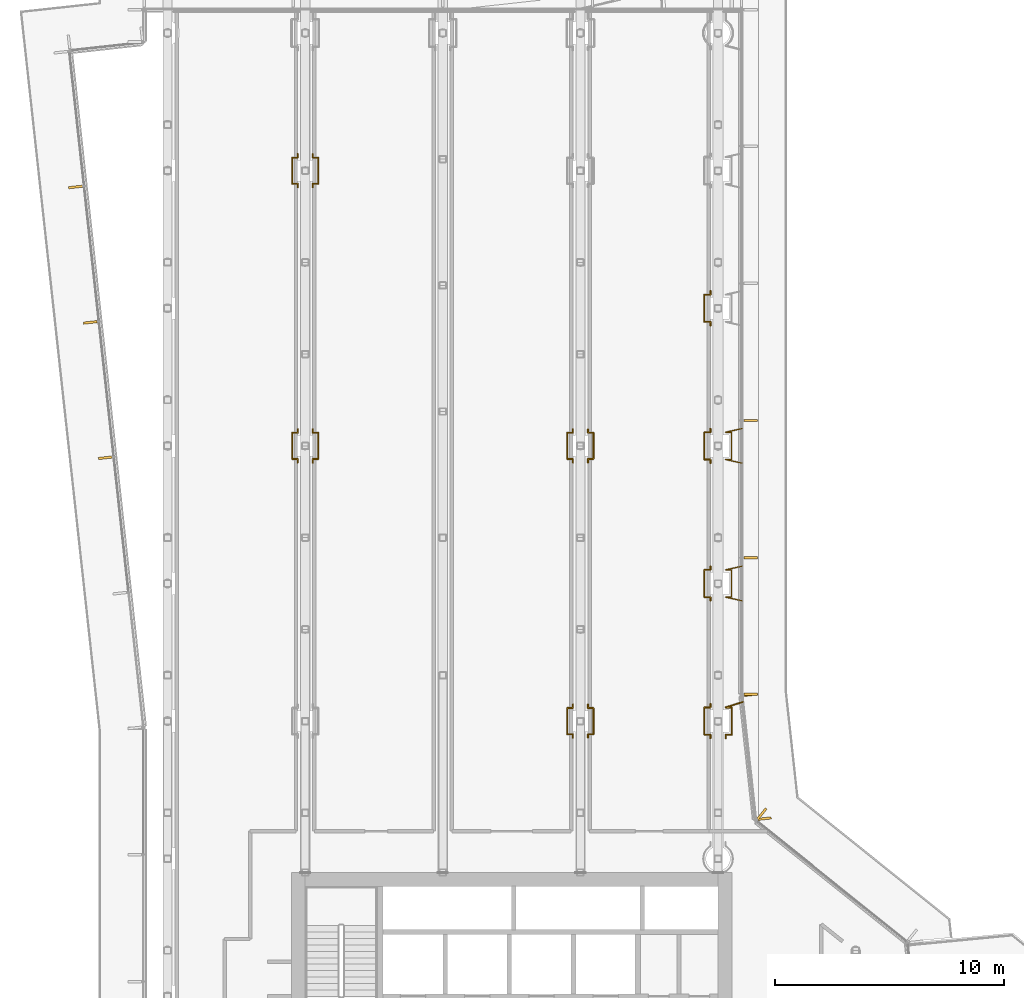
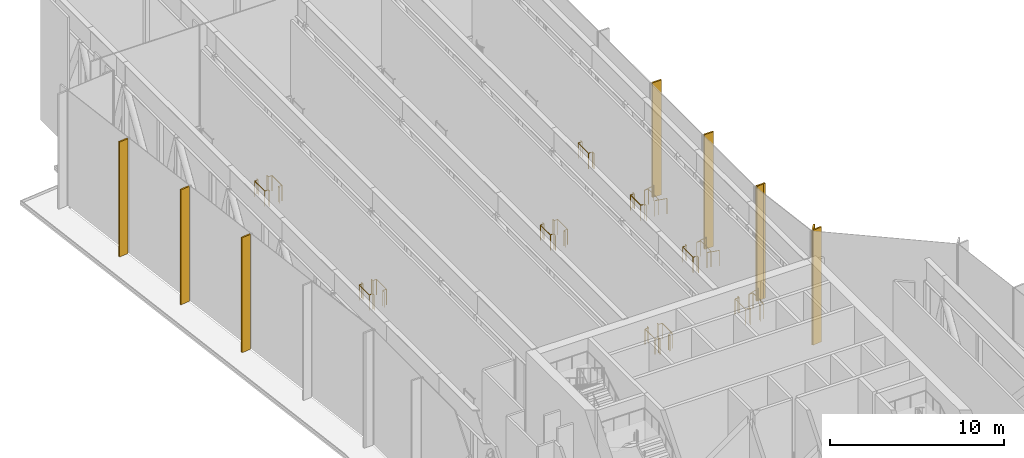
# One storey, part 20 of 22: 15 railings, 9 coverings.
"""IFC4 building model written with IfcOpenShell, lengths in metres."""

import ifcopenshell
import ifcopenshell.guid

model = None  # the IFC model being written
_history = None  # IfcOwnerHistory: only IFC2X3 demands one
_inside = {}  # id of a spatial element -> (the spatial element, [elements in it])
_under = {}  # id of a project, library or spatial element -> (it, [spatial elements below it])
_declared = {}  # id of a project -> (the project, [libraries it declares])
_typed = {}  # id of a type object -> (the type object, [elements of that type])
_made_of = {}  # id of a material, layer set ... -> (it, [elements and type objects made of it])


def new_model(schema):
    """Start an empty IFC model of exactly this schema.

    Asked for "IFC4X3", IfcOpenShell would pick the latest addendum, in which some entities
    have other attributes; the version numbers below select the first issue.
    IFC2X3 requires an IfcOwnerHistory on every rooted entity: one is made here for all.
    """
    global model, _history
    if schema == "IFC4X3":
        model = ifcopenshell.file(schema_version=(4, 3, 0, 0))
    else:
        model = ifcopenshell.file(schema=schema)
    _inside.clear()
    _under.clear()
    _declared.clear()
    _typed.clear()
    _made_of.clear()
    _history = None
    if model.schema == "IFC2X3":
        org = make("IfcOrganization", Name="unknown")
        user = make(
            "IfcPersonAndOrganization",
            ThePerson=make("IfcPerson", FamilyName="unknown"),
            TheOrganization=org,
        )
        app = make(
            "IfcApplication",
            ApplicationDeveloper=org,
            Version="unknown",
            ApplicationFullName="unknown",
            ApplicationIdentifier="unknown",
        )
        _history = make(
            "IfcOwnerHistory",
            OwningUser=user,
            OwningApplication=app,
            ChangeAction="ADDED",
            CreationDate=0,
        )
    return model


def make(cls, **values):
    """One entity of the class cls with the attributes given. An attribute that is None is left unset."""
    return model.create_entity(
        cls, **{name: value for name, value in values.items() if value is not None}
    )


def rooted(cls, **values):
    """An entity with a GlobalId (a new one), such as an element, a storey or a relation."""
    return make(cls, GlobalId=ifcopenshell.guid.new(), OwnerHistory=_history, **values)


def si_unit(unit_type, name, prefix=None):
    """IfcSIUnit, for example si_unit("LENGTHUNIT", "METRE", prefix="MILLI")."""
    return make("IfcSIUnit", UnitType=unit_type, Prefix=prefix, Name=name)


def assignment(units):
    """IfcUnitAssignment: the units of a project."""
    return None if units is None else make("IfcUnitAssignment", Units=units)


def point(xyz):
    """IfcCartesianPoint."""
    return None if xyz is None else make("IfcCartesianPoint", Coordinates=xyz)


def direction(xyz):
    """IfcDirection."""
    return None if xyz is None else make("IfcDirection", DirectionRatios=xyz)


def frame(location, z_axis=None, x_axis=None):
    """IfcAxis2Placement3D, a coordinate frame: its origin and axes. An axis left out is left unset."""
    return make(
        "IfcAxis2Placement3D",
        Location=point(location),
        Axis=direction(z_axis),
        RefDirection=direction(x_axis),
    )


def frame_2d(location, x_axis=None):
    """IfcAxis2Placement2D, a coordinate frame in the plane: its origin and x axis."""
    return make(
        "IfcAxis2Placement2D", Location=point(location), RefDirection=direction(x_axis)
    )


def origin():
    """The frame at (0, 0, 0) with its axes left unset."""
    return frame((0.0, 0.0, 0.0))


def origin_2d():
    """The frame at (0, 0) in the plane with its x axis left unset."""
    return frame_2d((0.0, 0.0))


def place(relative_to, where):
    """IfcLocalPlacement: puts the frame where relative to a parent placement (None: the world)."""
    return make(
        "IfcLocalPlacement", PlacementRelTo=relative_to, RelativePlacement=where
    )


def context(
    kind, dimensions, precision=None, world=None, true_north=None, identifier=None
):
    """IfcGeometricRepresentationContext, for example the 3D "Model" context."""
    return make(
        "IfcGeometricRepresentationContext",
        ContextIdentifier=identifier,
        ContextType=kind,
        CoordinateSpaceDimension=dimensions,
        Precision=precision,
        WorldCoordinateSystem=world,
        TrueNorth=true_north,
    )


def subcontext(parent, identifier, kind, view, scale=None):
    """IfcGeometricRepresentationSubContext, for example "Body" below "Model"."""
    return make(
        "IfcGeometricRepresentationSubContext",
        ContextIdentifier=identifier,
        ContextType=kind,
        ParentContext=parent,
        TargetScale=scale,
        TargetView=view,
    )


def project(units=None, contexts=None):
    """IfcProject with its units and contexts."""
    return rooted(
        "IfcProject",
        Name="project",
        RepresentationContexts=contexts,
        UnitsInContext=assignment(units),
    )


def spatial(cls, under=None, at=None, **own):
    """A site, building, storey or space (cls), placed at a placement, below another one or the project."""
    s = rooted(cls, ObjectPlacement=at, **own)
    if under is not None:
        _under.setdefault(under.id(), (under, []))[1].append(s)
    return s


def profile(cls, at=None, kind="AREA", **sizes):
    """A parametric profile (cls). Its sizes go by their IFC names, for example OverallWidth=200.0."""
    return make(cls, ProfileType=kind, Position=at, **sizes)


def rectangle(**sizes):
    """IfcRectangleProfileDef."""
    return profile("IfcRectangleProfileDef", **sizes)


def circle(**sizes):
    """IfcCircleProfileDef."""
    return profile("IfcCircleProfileDef", **sizes)


def extrude(swept, where, along, depth):
    """IfcExtrudedAreaSolid: the profile swept, set in the frame where, extruded along a direction by depth."""
    return make(
        "IfcExtrudedAreaSolid",
        SweptArea=swept,
        Position=where,
        ExtrudedDirection=direction(along),
        Depth=depth,
    )


def shape(context_of_items, identifier, shape_type, items):
    """IfcShapeRepresentation: the items that make up one representation, for example the "Body"."""
    return make(
        "IfcShapeRepresentation",
        ContextOfItems=context_of_items,
        RepresentationIdentifier=identifier,
        RepresentationType=shape_type,
        Items=items,
    )


def material(Name=None, Category=None):
    """IfcMaterial."""
    return make("IfcMaterial", Name=Name, Category=Category)


def layer(
    of_material, thickness, ventilated=None, Name=None, Category=None, Priority=None
):
    """IfcMaterialLayer: one layer of a wall or slab, of a material (None: an air gap)."""
    return make(
        "IfcMaterialLayer",
        Material=of_material,
        LayerThickness=thickness,
        IsVentilated=ventilated,
        Name=Name,
        Category=Category,
        Priority=Priority,
    )


def layer_set(layers, Name=None):
    """IfcMaterialLayerSet."""
    return make("IfcMaterialLayerSet", MaterialLayers=layers, LayerSetName=Name)


def made_of(thing, what):
    """Note that an element or type object is made of a material, layer set ...; save() writes the relation."""
    if what is not None:
        _made_of.setdefault(what.id(), (what, []))[1].append(thing)
    return thing


def type_object(cls, material=None, **own):
    """A type object (cls), such as IfcWallType, which elements share."""
    return made_of(rooted(cls, **own), material)


def element(
    cls,
    number,
    at=None,
    inside=None,
    cuts=None,
    type_object=None,
    material=None,
    context=None,
    identifier="Body",
    shape_type=None,
    held_by="IfcProductDefinitionShape",
    body=None,
    shapes=None,
    **own,
):
    """One element of the class cls, such as IfcWall. Its Tag is "e" and its number.

    at: its placement. inside: the storey or other place that contains it. cuts: it is an
    opening in that element (IfcRelVoidsElement). A single representation is given by context,
    identifier, shape_type and body (its items); several are given by shapes. held_by: the class
    of the entity that holds the representations. save() writes the other relations.
    """
    e = rooted(cls, Tag="e%d" % number, ObjectPlacement=at, **own)
    if body is not None:
        shapes = [shape(context, identifier, shape_type, body)]
    if shapes is not None:
        e.Representation = make(held_by, Representations=shapes)
    if inside is not None:
        _inside.setdefault(inside.id(), (inside, []))[1].append(e)
    if cuts is not None:
        rooted(
            "IfcRelVoidsElement", RelatingBuildingElement=cuts, RelatedOpeningElement=e
        )
    if type_object is not None:
        _typed.setdefault(type_object.id(), (type_object, []))[1].append(e)
    return made_of(e, material)


def aggregate(whole, parts):
    """IfcRelAggregates: a whole, such as a stair, and the parts it consists of."""
    return rooted("IfcRelAggregates", RelatingObject=whole, RelatedObjects=parts)


def save(model, path):
    """Write the relations noted so far, then the file.

    IfcRelAggregates (storeys below a building ...), IfcRelContainedInSpatialStructure (elements
    in a storey), IfcRelDefinesByType, IfcRelAssociatesMaterial and IfcRelDeclares: one each for
    every whole, place, type object, material and project.
    """
    for whole, parts in _under.values():
        aggregate(whole, parts)
    for where, things in _inside.values():
        rooted(
            "IfcRelContainedInSpatialStructure",
            RelatedElements=things,
            RelatingStructure=where,
        )
    for kind, things in _typed.values():
        rooted("IfcRelDefinesByType", RelatedObjects=things, RelatingType=kind)
    for what, things in _made_of.values():
        rooted("IfcRelAssociatesMaterial", RelatedObjects=things, RelatingMaterial=what)
    for by, libraries in _declared.values():
        rooted("IfcRelDeclares", RelatingContext=by, RelatedDefinitions=libraries)
    model.write(path)


model = new_model("IFC4")

# Units and contexts
model_context = context("Model", 3, precision=1e-05, world=origin(), true_north=direction((0.0, 1.0)))
body_context = subcontext(model_context, "Body", "Model", "MODEL_VIEW")
ifc_project = project(units=[si_unit("LENGTHUNIT", "METRE"), si_unit("AREAUNIT", "SQUARE_METRE"), si_unit("VOLUMEUNIT", "CUBIC_METRE"), si_unit("PLANEANGLEUNIT", "RADIAN"), si_unit("MASSUNIT", "GRAM", prefix="KILO")], contexts=[model_context])

# Site, building, storey
site_placement = place(None, origin())
site = spatial("IfcSite", under=ifc_project, at=site_placement, CompositionType="ELEMENT")
building_placement = place(site_placement, origin())
building = spatial("IfcBuilding", under=site, at=building_placement, Name="Welwitschia Terrace Campus", CompositionType="ELEMENT")
storey_placement = place(building_placement, frame((0.0, 0.0, 197.0)))
storey = spatial("IfcBuildingStorey", under=building, at=storey_placement, Name="L44", CompositionType="ELEMENT", Elevation=197.0)

# Coverings
ifc_material_1 = material(Name="Bronze anodised aluminium", Category="aluminium")
ifc_layer = layer(ifc_material_1, 0.10009765625)
ifc_layer_set = layer_set([ifc_layer], Name="Bronze anodised aluminium")
covering_type = type_object("IfcCoveringType", Name="Bronze fin 100x600", PredefinedType="USERDEFINED", material=ifc_layer_set)
for number, where, z_axis, x_axis, name in (
    (1, (25.909423828125, 27.9541015625, 0.0), (0.0, 0.0, 1.0), (-0.779884483093, 0.625923472184, 0.0), "Fin L44.2.1"),
    (2, (26.022705078125, 27.747802734375, 0.0), (0.0, 0.0, 1.0), (-0.108866874852, 0.994056338222, 0.0), "Fin L44.3.0"),
    (3, (25.430908203125, 33.151123046875, 0.0), (0.0, 0.0, 1.0), (-0.108866874852, 0.994056338222, 0.0), "Fin L44.3.1"),
    (4, (25.429931640625, 33.16943359375, 0.0), (0.0, 0.0, 1.0), (0.0, 1.0, 0.0), "Fin L44.4.0"),
    (5, (25.429931640625, 39.12158203125, 0.0), (0.0, 0.0, 1.0), (0.0, 1.0, 0.0), "Fin L44.4.1"),
    (6, (25.429931640625, 45.103759765625, 0.0), (0.0, 0.0, 1.0), (0.0, 1.0, 0.0), "Fin L44.4.2"),
    (7, (-4.013916015625, 55.28759765625, 0.0), (0.0, 0.0, 1.0), (0.108866874852, -0.994056338222, 0.0), "Fin L44.8.1"),
    (8, (-3.367431640625, 49.384033203125, 0.0), (0.0, 0.0, 1.0), (0.108866874852, -0.994056338222, 0.0), "Fin L44.8.2"),
    (9, (-2.720703125, 43.48046875, 0.0), (0.0, 0.0, 1.0), (0.108866874852, -0.994056338222, 0.0), "Fin L44.8.3"),
):
    element("IfcCovering", number, at=place(storey_placement, frame(where, z_axis=z_axis, x_axis=x_axis)), inside=storey, type_object=covering_type, Name=name, ObjectType="FIN", PredefinedType="USERDEFINED", context=body_context, shape_type="SweptSolid", body=[
        extrude(rectangle(XDim=0.10009765625, YDim=0.60009765625, at=origin_2d()), origin(), (0.0, 0.0, 1.0), 8.050048828125),
    ])

# Railings
ifc_material_2 = material(Name="Stainless steel grade 316", Category="steel")
railing_type = type_object("IfcRailingType", Name="Guard 1100", PredefinedType="GUARDRAIL", material=ifc_material_2)
railing_1_placement = place(storey_placement, frame((23.669921875, 38.7548828125, 0.0)))
element("IfcRailing", 10, at=railing_1_placement, inside=storey, type_object=railing_type, Name="Guard floor edge L44.8", PredefinedType="GUARDRAIL", context=body_context, shape_type="SweptSolid", body=[
    extrude(circle(Radius=0.02392578125, at=origin_2d()), frame((0.0, 0.0, 1.076171875), z_axis=(0.0, -1.0, 0.0), x_axis=(1.0, 0.0, 0.0)), (0.0, 0.0, 1.0), 0.159912109375),
    extrude(circle(Radius=0.02392578125, at=origin_2d()), frame((0.0, -0.159912109375, 1.076171875), z_axis=(-1.0, 0.0, 0.0), x_axis=(0.0, -1.0, 0.0)), (0.0, 0.0, 1.0), 0.264892578125),
    extrude(circle(Radius=0.02392578125, at=origin_2d()), frame((-0.264892578125, -0.159912109375, 1.076171875), z_axis=(0.0, -1.0, 0.0), x_axis=(1.0, 0.0, 0.0)), (0.0, 0.0, 1.0), 1.18994140625),
    extrude(circle(Radius=0.02392578125, at=origin_2d()), frame((-0.264892578125, -1.349853515625, 1.076171875), z_axis=(1.0, 0.0, 0.0), x_axis=(0.0, 1.0, 0.0)), (0.0, 0.0, 1.0), 0.264892578125),
    extrude(circle(Radius=0.02392578125, at=origin_2d()), frame((0.0, -1.349853515625, 1.076171875), z_axis=(0.0, -1.0, 0.0), x_axis=(1.0, 0.0, 0.0)), (0.0, 0.0, 1.0), 0.159912109375),
    extrude(circle(Radius=0.02099609375, at=origin_2d()), origin(), (0.0, 0.0, 1.0), 1.052001953125),
    extrude(circle(Radius=0.02099609375, at=origin_2d()), frame((0.0, -0.159912109375, 0.0)), (0.0, 0.0, 1.0), 1.052001953125),
    extrude(circle(Radius=0.02099609375, at=origin_2d()), frame((-0.264892578125, -0.159912109375, 0.0)), (0.0, 0.0, 1.0), 1.052001953125),
    extrude(circle(Radius=0.02099609375, at=origin_2d()), frame((-0.264892578125, -1.349853515625, 0.0)), (0.0, 0.0, 1.0), 1.052001953125),
    extrude(circle(Radius=0.02099609375, at=origin_2d()), frame((0.0, -1.349853515625, 0.0)), (0.0, 0.0, 1.0), 1.052001953125),
    extrude(circle(Radius=0.02099609375, at=origin_2d()), frame((0.0, -1.509765625, 0.0)), (0.0, 0.0, 1.0), 1.052001953125),
])
railing_2_placement = place(storey_placement, frame((25.050048828125, 37.2451171875, 0.0)))
element("IfcRailing", 11, at=railing_2_placement, inside=storey, type_object=railing_type, Name="Guard floor edge L44.9", PredefinedType="GUARDRAIL", context=body_context, shape_type="SweptSolid", body=[
    extrude(circle(Radius=0.02392578125, at=origin_2d()), frame((0.0, 0.0, 1.076171875), z_axis=(-0.976210421415, 0.216825305536, 0.0), x_axis=(-0.216825305536, -0.976210421415, 0.0)), (0.0, 0.0, 1.0), 0.737548828125),
    extrude(circle(Radius=0.02392578125, at=origin_2d()), frame((-0.719970703125, 0.159912109375, 1.076171875), z_axis=(1.0, 0.0, 0.0), x_axis=(0.0, 1.0, 0.0)), (0.0, 0.0, 1.0), 0.264892578125),
    extrude(circle(Radius=0.02392578125, at=origin_2d()), frame((-0.455078125, 0.159912109375, 1.076171875), z_axis=(0.0, 1.0, 0.0), x_axis=(-1.0, 0.0, 0.0)), (0.0, 0.0, 1.0), 1.18994140625),
    extrude(circle(Radius=0.02392578125, at=origin_2d()), frame((-0.455078125, 1.349853515625, 1.076171875), z_axis=(-1.0, 0.0, 0.0), x_axis=(0.0, -1.0, 0.0)), (0.0, 0.0, 1.0), 0.264892578125),
    extrude(circle(Radius=0.02392578125, at=origin_2d()), frame((-0.719970703125, 1.349853515625, 1.076171875), z_axis=(0.976210421415, 0.216825305536, 0.0), x_axis=(-0.216825305536, 0.976210421415, 0.0)), (0.0, 0.0, 1.0), 0.737548828125),
    extrude(circle(Radius=0.02099609375, at=origin_2d()), origin(), (0.0, 0.0, 1.0), 1.052001953125),
    extrude(circle(Radius=0.02099609375, at=origin_2d()), frame((-0.719970703125, 0.159912109375, 0.0)), (0.0, 0.0, 1.0), 1.052001953125),
    extrude(circle(Radius=0.02099609375, at=origin_2d()), frame((-0.455078125, 0.159912109375, 0.0)), (0.0, 0.0, 1.0), 1.052001953125),
    extrude(circle(Radius=0.02099609375, at=origin_2d()), frame((-0.455078125, 1.349853515625, 0.0)), (0.0, 0.0, 1.0), 1.052001953125),
    extrude(circle(Radius=0.02099609375, at=origin_2d()), frame((-0.719970703125, 1.349853515625, 0.0)), (0.0, 0.0, 1.0), 1.052001953125),
    extrude(circle(Radius=0.02099609375, at=origin_2d()), frame((0.0, 1.509765625, 0.0)), (0.0, 0.0, 1.0), 1.052001953125),
])
railing_3_placement = place(storey_placement, frame((23.669921875, 44.7548828125, 0.0)))
element("IfcRailing", 12, at=railing_3_placement, inside=storey, type_object=railing_type, Name="Guard floor edge L44.10", PredefinedType="GUARDRAIL", context=body_context, shape_type="SweptSolid", body=[
    extrude(circle(Radius=0.02392578125, at=origin_2d()), frame((0.0, 0.0, 1.076171875), z_axis=(0.0, -1.0, 0.0), x_axis=(1.0, 0.0, 0.0)), (0.0, 0.0, 1.0), 0.159912109375),
    extrude(circle(Radius=0.02392578125, at=origin_2d()), frame((0.0, -0.159912109375, 1.076171875), z_axis=(-1.0, 0.0, 0.0), x_axis=(0.0, -1.0, 0.0)), (0.0, 0.0, 1.0), 0.264892578125),
    extrude(circle(Radius=0.02392578125, at=origin_2d()), frame((-0.264892578125, -0.159912109375, 1.076171875), z_axis=(0.0, -1.0, 0.0), x_axis=(1.0, 0.0, 0.0)), (0.0, 0.0, 1.0), 1.18994140625),
    extrude(circle(Radius=0.02392578125, at=origin_2d()), frame((-0.264892578125, -1.349853515625, 1.076171875), z_axis=(1.0, 0.0, 0.0), x_axis=(0.0, 1.0, 0.0)), (0.0, 0.0, 1.0), 0.264892578125),
    extrude(circle(Radius=0.02392578125, at=origin_2d()), frame((0.0, -1.349853515625, 1.076171875), z_axis=(0.0, -1.0, 0.0), x_axis=(1.0, 0.0, 0.0)), (0.0, 0.0, 1.0), 0.159912109375),
    extrude(circle(Radius=0.02099609375, at=origin_2d()), origin(), (0.0, 0.0, 1.0), 1.052001953125),
    extrude(circle(Radius=0.02099609375, at=origin_2d()), frame((0.0, -0.159912109375, 0.0)), (0.0, 0.0, 1.0), 1.052001953125),
    extrude(circle(Radius=0.02099609375, at=origin_2d()), frame((-0.264892578125, -0.159912109375, 0.0)), (0.0, 0.0, 1.0), 1.052001953125),
    extrude(circle(Radius=0.02099609375, at=origin_2d()), frame((-0.264892578125, -1.349853515625, 0.0)), (0.0, 0.0, 1.0), 1.052001953125),
    extrude(circle(Radius=0.02099609375, at=origin_2d()), frame((0.0, -1.349853515625, 0.0)), (0.0, 0.0, 1.0), 1.052001953125),
    extrude(circle(Radius=0.02099609375, at=origin_2d()), frame((0.0, -1.509765625, 0.0)), (0.0, 0.0, 1.0), 1.052001953125),
])
railing_4_placement = place(storey_placement, frame((25.050048828125, 43.2451171875, 0.0)))
element("IfcRailing", 13, at=railing_4_placement, inside=storey, type_object=railing_type, Name="Guard floor edge L44.11", PredefinedType="GUARDRAIL", context=body_context, shape_type="SweptSolid", body=[
    extrude(circle(Radius=0.02392578125, at=origin_2d()), frame((0.0, 0.0, 1.076171875), z_axis=(-0.976210421415, 0.216825305536, 0.0), x_axis=(-0.216825305536, -0.976210421415, 0.0)), (0.0, 0.0, 1.0), 0.737548828125),
    extrude(circle(Radius=0.02392578125, at=origin_2d()), frame((-0.719970703125, 0.159912109375, 1.076171875), z_axis=(1.0, 0.0, 0.0), x_axis=(0.0, 1.0, 0.0)), (0.0, 0.0, 1.0), 0.264892578125),
    extrude(circle(Radius=0.02392578125, at=origin_2d()), frame((-0.455078125, 0.159912109375, 1.076171875), z_axis=(0.0, 1.0, 0.0), x_axis=(-1.0, 0.0, 0.0)), (0.0, 0.0, 1.0), 1.18994140625),
    extrude(circle(Radius=0.02392578125, at=origin_2d()), frame((-0.455078125, 1.349853515625, 1.076171875), z_axis=(-1.0, 0.0, 0.0), x_axis=(0.0, -1.0, 0.0)), (0.0, 0.0, 1.0), 0.264892578125),
    extrude(circle(Radius=0.02392578125, at=origin_2d()), frame((-0.719970703125, 1.349853515625, 1.076171875), z_axis=(0.976210421415, 0.216825305536, 0.0), x_axis=(-0.216825305536, 0.976210421415, 0.0)), (0.0, 0.0, 1.0), 0.737548828125),
    extrude(circle(Radius=0.02099609375, at=origin_2d()), origin(), (0.0, 0.0, 1.0), 1.052001953125),
    extrude(circle(Radius=0.02099609375, at=origin_2d()), frame((-0.719970703125, 0.159912109375, 0.0)), (0.0, 0.0, 1.0), 1.052001953125),
    extrude(circle(Radius=0.02099609375, at=origin_2d()), frame((-0.455078125, 0.159912109375, 0.0)), (0.0, 0.0, 1.0), 1.052001953125),
    extrude(circle(Radius=0.02099609375, at=origin_2d()), frame((-0.455078125, 1.349853515625, 0.0)), (0.0, 0.0, 1.0), 1.052001953125),
    extrude(circle(Radius=0.02099609375, at=origin_2d()), frame((-0.719970703125, 1.349853515625, 0.0)), (0.0, 0.0, 1.0), 1.052001953125),
    extrude(circle(Radius=0.02099609375, at=origin_2d()), frame((0.0, 1.509765625, 0.0)), (0.0, 0.0, 1.0), 1.052001953125),
])
for number, where, name in (
    (14, (23.669921875, 50.7548828125, 0.0), "Guard floor edge L44.12"),
    (15, (23.669921875, 32.7548828125, 0.0), "Guard floor edge L44.16"),
):
    element("IfcRailing", number, at=place(storey_placement, frame(where)), inside=storey, type_object=railing_type, Name=name, PredefinedType="GUARDRAIL", context=body_context, shape_type="SweptSolid", body=[
        extrude(circle(Radius=0.02392578125, at=origin_2d()), frame((0.0, 0.0, 1.076171875), z_axis=(0.0, -1.0, 0.0), x_axis=(1.0, 0.0, 0.0)), (0.0, 0.0, 1.0), 0.159912109375),
        extrude(circle(Radius=0.02392578125, at=origin_2d()), frame((0.0, -0.159912109375, 1.076171875), z_axis=(-1.0, 0.0, 0.0), x_axis=(0.0, -1.0, 0.0)), (0.0, 0.0, 1.0), 0.264892578125),
        extrude(circle(Radius=0.02392578125, at=origin_2d()), frame((-0.264892578125, -0.159912109375, 1.076171875), z_axis=(0.0, -1.0, 0.0), x_axis=(1.0, 0.0, 0.0)), (0.0, 0.0, 1.0), 1.18994140625),
        extrude(circle(Radius=0.02392578125, at=origin_2d()), frame((-0.264892578125, -1.349853515625, 1.076171875), z_axis=(1.0, 0.0, 0.0), x_axis=(0.0, 1.0, 0.0)), (0.0, 0.0, 1.0), 0.264892578125),
        extrude(circle(Radius=0.02392578125, at=origin_2d()), frame((0.0, -1.349853515625, 1.076171875), z_axis=(0.0, -1.0, 0.0), x_axis=(1.0, 0.0, 0.0)), (0.0, 0.0, 1.0), 0.159912109375),
        extrude(circle(Radius=0.02099609375, at=origin_2d()), origin(), (0.0, 0.0, 1.0), 1.052001953125),
        extrude(circle(Radius=0.02099609375, at=origin_2d()), frame((0.0, -0.159912109375, 0.0)), (0.0, 0.0, 1.0), 1.052001953125),
        extrude(circle(Radius=0.02099609375, at=origin_2d()), frame((-0.264892578125, -0.159912109375, 0.0)), (0.0, 0.0, 1.0), 1.052001953125),
        extrude(circle(Radius=0.02099609375, at=origin_2d()), frame((-0.264892578125, -1.349853515625, 0.0)), (0.0, 0.0, 1.0), 1.052001953125),
        extrude(circle(Radius=0.02099609375, at=origin_2d()), frame((0.0, -1.349853515625, 0.0)), (0.0, 0.0, 1.0), 1.052001953125),
        extrude(circle(Radius=0.02099609375, at=origin_2d()), frame((0.0, -1.509765625, 0.0)), (0.0, 0.0, 1.0), 1.052001953125),
    ])
railing_5_placement = place(storey_placement, frame((24.330078125, 31.2451171875, 0.0)))
element("IfcRailing", 16, at=railing_5_placement, inside=storey, type_object=railing_type, Name="Guard floor edge L44.17", PredefinedType="GUARDRAIL", context=body_context, shape_type="SweptSolid", body=[
    extrude(circle(Radius=0.02392578125, at=origin_2d()), frame((0.0, 0.0, 1.076171875), z_axis=(0.0, 1.0, 0.0), x_axis=(-1.0, 0.0, 0.0)), (0.0, 0.0, 1.0), 0.159912109375),
    extrude(circle(Radius=0.02392578125, at=origin_2d()), frame((0.0, 0.159912109375, 1.076171875), z_axis=(1.0, 0.0, 0.0), x_axis=(0.0, 1.0, 0.0)), (0.0, 0.0, 1.0), 0.264892578125),
    extrude(circle(Radius=0.02392578125, at=origin_2d()), frame((0.264892578125, 0.159912109375, 1.076171875), z_axis=(0.0, 1.0, 0.0), x_axis=(-1.0, 0.0, 0.0)), (0.0, 0.0, 1.0), 1.18994140625),
    extrude(circle(Radius=0.02392578125, at=origin_2d()), frame((0.264892578125, 1.349853515625, 1.076171875), z_axis=(-1.0, 0.0, 0.0), x_axis=(0.0, -1.0, 0.0)), (0.0, 0.0, 1.0), 0.264892578125),
    extrude(circle(Radius=0.02392578125, at=origin_2d()), frame((0.0, 1.349853515625, 1.076171875), z_axis=(0.951874294283, 0.306488707595, 0.0), x_axis=(-0.306488707595, 0.951874294283, 0.0)), (0.0, 0.0, 1.0), 0.791015625),
    extrude(circle(Radius=0.02099609375, at=origin_2d()), origin(), (0.0, 0.0, 1.0), 1.052001953125),
    extrude(circle(Radius=0.02099609375, at=origin_2d()), frame((0.0, 0.159912109375, 0.0)), (0.0, 0.0, 1.0), 1.052001953125),
    extrude(circle(Radius=0.02099609375, at=origin_2d()), frame((0.264892578125, 0.159912109375, 0.0)), (0.0, 0.0, 1.0), 1.052001953125),
    extrude(circle(Radius=0.02099609375, at=origin_2d()), frame((0.264892578125, 1.349853515625, 0.0)), (0.0, 0.0, 1.0), 1.052001953125),
    extrude(circle(Radius=0.02099609375, at=origin_2d()), frame((0.0, 1.349853515625, 0.0)), (0.0, 0.0, 1.0), 1.052001953125),
    extrude(circle(Radius=0.02099609375, at=origin_2d()), frame((0.7529296875, 1.59228515625, 0.0)), (0.0, 0.0, 1.0), 1.052001953125),
])
railing_6_placement = place(storey_placement, frame((17.669921875, 44.72998046875, 0.0)))
element("IfcRailing", 17, at=railing_6_placement, inside=storey, type_object=railing_type, Name="Guard floor edge L44.22", PredefinedType="GUARDRAIL", context=body_context, shape_type="SweptSolid", body=[
    extrude(circle(Radius=0.02392578125, at=origin_2d()), frame((0.0, 0.0, 1.076171875), z_axis=(0.0, -1.0, 0.0), x_axis=(1.0, 0.0, 0.0)), (0.0, 0.0, 1.0), 0.159912109375),
    extrude(circle(Radius=0.02392578125, at=origin_2d()), frame((0.0, -0.159912109375, 1.076171875), z_axis=(-1.0, 0.0, 0.0), x_axis=(0.0, -1.0, 0.0)), (0.0, 0.0, 1.0), 0.239990234375),
    extrude(circle(Radius=0.02392578125, at=origin_2d()), frame((-0.239990234375, -0.159912109375, 1.076171875), z_axis=(0.0, -1.0, 0.0), x_axis=(1.0, 0.0, 0.0)), (0.0, 0.0, 1.0), 1.14013671875),
    extrude(circle(Radius=0.02392578125, at=origin_2d()), frame((-0.239990234375, -1.300048828125, 1.076171875), z_axis=(1.0, 0.0, 0.0), x_axis=(0.0, 1.0, 0.0)), (0.0, 0.0, 1.0), 0.239990234375),
    extrude(circle(Radius=0.02392578125, at=origin_2d()), frame((0.0, -1.300048828125, 1.076171875), z_axis=(0.0, -1.0, 0.0), x_axis=(1.0, 0.0, 0.0)), (0.0, 0.0, 1.0), 0.159912109375),
    extrude(circle(Radius=0.02099609375, at=origin_2d()), origin(), (0.0, 0.0, 1.0), 1.052001953125),
    extrude(circle(Radius=0.02099609375, at=origin_2d()), frame((0.0, -0.159912109375, 0.0)), (0.0, 0.0, 1.0), 1.052001953125),
    extrude(circle(Radius=0.02099609375, at=origin_2d()), frame((-0.239990234375, -0.159912109375, 0.0)), (0.0, 0.0, 1.0), 1.052001953125),
    extrude(circle(Radius=0.02099609375, at=origin_2d()), frame((-0.239990234375, -1.300048828125, 0.0)), (0.0, 0.0, 1.0), 1.052001953125),
    extrude(circle(Radius=0.02099609375, at=origin_2d()), frame((0.0, -1.300048828125, 0.0)), (0.0, 0.0, 1.0), 1.052001953125),
    extrude(circle(Radius=0.02099609375, at=origin_2d()), frame((0.0, -1.4599609375, 0.0)), (0.0, 0.0, 1.0), 1.052001953125),
])
railing_7_placement = place(storey_placement, frame((18.330078125, 43.27001953125, 0.0)))
element("IfcRailing", 18, at=railing_7_placement, inside=storey, type_object=railing_type, Name="Guard floor edge L44.23", PredefinedType="GUARDRAIL", context=body_context, shape_type="SweptSolid", body=[
    extrude(circle(Radius=0.02392578125, at=origin_2d()), frame((0.0, 0.0, 1.076171875), z_axis=(0.0, 1.0, 0.0), x_axis=(-1.0, 0.0, 0.0)), (0.0, 0.0, 1.0), 0.159912109375),
    extrude(circle(Radius=0.02392578125, at=origin_2d()), frame((0.0, 0.159912109375, 1.076171875), z_axis=(1.0, 0.0, 0.0), x_axis=(0.0, 1.0, 0.0)), (0.0, 0.0, 1.0), 0.239990234375),
    extrude(circle(Radius=0.02392578125, at=origin_2d()), frame((0.239990234375, 0.159912109375, 1.076171875), z_axis=(0.0, 1.0, 0.0), x_axis=(-1.0, 0.0, 0.0)), (0.0, 0.0, 1.0), 1.14013671875),
    extrude(circle(Radius=0.02392578125, at=origin_2d()), frame((0.239990234375, 1.300048828125, 1.076171875), z_axis=(-1.0, 0.0, 0.0), x_axis=(0.0, -1.0, 0.0)), (0.0, 0.0, 1.0), 0.239990234375),
    extrude(circle(Radius=0.02392578125, at=origin_2d()), frame((0.0, 1.300048828125, 1.076171875), z_axis=(0.0, 1.0, 0.0), x_axis=(-1.0, 0.0, 0.0)), (0.0, 0.0, 1.0), 0.159912109375),
    extrude(circle(Radius=0.02099609375, at=origin_2d()), origin(), (0.0, 0.0, 1.0), 1.052001953125),
    extrude(circle(Radius=0.02099609375, at=origin_2d()), frame((0.0, 0.159912109375, 0.0)), (0.0, 0.0, 1.0), 1.052001953125),
    extrude(circle(Radius=0.02099609375, at=origin_2d()), frame((0.239990234375, 0.159912109375, 0.0)), (0.0, 0.0, 1.0), 1.052001953125),
    extrude(circle(Radius=0.02099609375, at=origin_2d()), frame((0.239990234375, 1.300048828125, 0.0)), (0.0, 0.0, 1.0), 1.052001953125),
    extrude(circle(Radius=0.02099609375, at=origin_2d()), frame((0.0, 1.300048828125, 0.0)), (0.0, 0.0, 1.0), 1.052001953125),
    extrude(circle(Radius=0.02099609375, at=origin_2d()), frame((0.0, 1.4599609375, 0.0)), (0.0, 0.0, 1.0), 1.052001953125),
])
railing_8_placement = place(storey_placement, frame((17.669921875, 32.72998046875, 0.0)))
element("IfcRailing", 19, at=railing_8_placement, inside=storey, type_object=railing_type, Name="Guard floor edge L44.26", PredefinedType="GUARDRAIL", context=body_context, shape_type="SweptSolid", body=[
    extrude(circle(Radius=0.02392578125, at=origin_2d()), frame((0.0, 0.0, 1.076171875), z_axis=(0.0, -1.0, 0.0), x_axis=(1.0, 0.0, 0.0)), (0.0, 0.0, 1.0), 0.159912109375),
    extrude(circle(Radius=0.02392578125, at=origin_2d()), frame((0.0, -0.159912109375, 1.076171875), z_axis=(-1.0, 0.0, 0.0), x_axis=(0.0, -1.0, 0.0)), (0.0, 0.0, 1.0), 0.239990234375),
    extrude(circle(Radius=0.02392578125, at=origin_2d()), frame((-0.239990234375, -0.159912109375, 1.076171875), z_axis=(0.0, -1.0, 0.0), x_axis=(1.0, 0.0, 0.0)), (0.0, 0.0, 1.0), 1.14013671875),
    extrude(circle(Radius=0.02392578125, at=origin_2d()), frame((-0.239990234375, -1.300048828125, 1.076171875), z_axis=(1.0, 0.0, 0.0), x_axis=(0.0, 1.0, 0.0)), (0.0, 0.0, 1.0), 0.239990234375),
    extrude(circle(Radius=0.02392578125, at=origin_2d()), frame((0.0, -1.300048828125, 1.076171875), z_axis=(0.0, -1.0, 0.0), x_axis=(1.0, 0.0, 0.0)), (0.0, 0.0, 1.0), 0.159912109375),
    extrude(circle(Radius=0.02099609375, at=origin_2d()), origin(), (0.0, 0.0, 1.0), 1.052001953125),
    extrude(circle(Radius=0.02099609375, at=origin_2d()), frame((0.0, -0.159912109375, 0.0)), (0.0, 0.0, 1.0), 1.052001953125),
    extrude(circle(Radius=0.02099609375, at=origin_2d()), frame((-0.239990234375, -0.159912109375, 0.0)), (0.0, 0.0, 1.0), 1.052001953125),
    extrude(circle(Radius=0.02099609375, at=origin_2d()), frame((-0.239990234375, -1.300048828125, 0.0)), (0.0, 0.0, 1.0), 1.052001953125),
    extrude(circle(Radius=0.02099609375, at=origin_2d()), frame((0.0, -1.300048828125, 0.0)), (0.0, 0.0, 1.0), 1.052001953125),
    extrude(circle(Radius=0.02099609375, at=origin_2d()), frame((0.0, -1.4599609375, 0.0)), (0.0, 0.0, 1.0), 1.052001953125),
])
railing_9_placement = place(storey_placement, frame((18.330078125, 31.27001953125, 0.0)))
element("IfcRailing", 20, at=railing_9_placement, inside=storey, type_object=railing_type, Name="Guard floor edge L44.27", PredefinedType="GUARDRAIL", context=body_context, shape_type="SweptSolid", body=[
    extrude(circle(Radius=0.02392578125, at=origin_2d()), frame((0.0, 0.0, 1.076171875), z_axis=(0.0, 1.0, 0.0), x_axis=(-1.0, 0.0, 0.0)), (0.0, 0.0, 1.0), 0.159912109375),
    extrude(circle(Radius=0.02392578125, at=origin_2d()), frame((0.0, 0.159912109375, 1.076171875), z_axis=(1.0, 0.0, 0.0), x_axis=(0.0, 1.0, 0.0)), (0.0, 0.0, 1.0), 0.239990234375),
    extrude(circle(Radius=0.02392578125, at=origin_2d()), frame((0.239990234375, 0.159912109375, 1.076171875), z_axis=(0.0, 1.0, 0.0), x_axis=(-1.0, 0.0, 0.0)), (0.0, 0.0, 1.0), 1.14013671875),
    extrude(circle(Radius=0.02392578125, at=origin_2d()), frame((0.239990234375, 1.300048828125, 1.076171875), z_axis=(-1.0, 0.0, 0.0), x_axis=(0.0, -1.0, 0.0)), (0.0, 0.0, 1.0), 0.239990234375),
    extrude(circle(Radius=0.02392578125, at=origin_2d()), frame((0.0, 1.300048828125, 1.076171875), z_axis=(0.0, 1.0, 0.0), x_axis=(-1.0, 0.0, 0.0)), (0.0, 0.0, 1.0), 0.159912109375),
    extrude(circle(Radius=0.02099609375, at=origin_2d()), origin(), (0.0, 0.0, 1.0), 1.052001953125),
    extrude(circle(Radius=0.02099609375, at=origin_2d()), frame((0.0, 0.159912109375, 0.0)), (0.0, 0.0, 1.0), 1.052001953125),
    extrude(circle(Radius=0.02099609375, at=origin_2d()), frame((0.239990234375, 0.159912109375, 0.0)), (0.0, 0.0, 1.0), 1.052001953125),
    extrude(circle(Radius=0.02099609375, at=origin_2d()), frame((0.239990234375, 1.300048828125, 0.0)), (0.0, 0.0, 1.0), 1.052001953125),
    extrude(circle(Radius=0.02099609375, at=origin_2d()), frame((0.0, 1.300048828125, 0.0)), (0.0, 0.0, 1.0), 1.052001953125),
    extrude(circle(Radius=0.02099609375, at=origin_2d()), frame((0.0, 1.4599609375, 0.0)), (0.0, 0.0, 1.0), 1.052001953125),
])
railing_10_placement = place(storey_placement, frame((5.669921875, 44.72998046875, 0.0)))
element("IfcRailing", 21, at=railing_10_placement, inside=storey, type_object=railing_type, Name="Guard floor edge L44.34", PredefinedType="GUARDRAIL", context=body_context, shape_type="SweptSolid", body=[
    extrude(circle(Radius=0.02392578125, at=origin_2d()), frame((0.0, 0.0, 1.076171875), z_axis=(0.0, -1.0, 0.0), x_axis=(1.0, 0.0, 0.0)), (0.0, 0.0, 1.0), 0.159912109375),
    extrude(circle(Radius=0.02392578125, at=origin_2d()), frame((0.0, -0.159912109375, 1.076171875), z_axis=(-1.0, 0.0, 0.0), x_axis=(0.0, -1.0, 0.0)), (0.0, 0.0, 1.0), 0.239990234375),
    extrude(circle(Radius=0.02392578125, at=origin_2d()), frame((-0.239990234375, -0.159912109375, 1.076171875), z_axis=(0.0, -1.0, 0.0), x_axis=(1.0, 0.0, 0.0)), (0.0, 0.0, 1.0), 1.14013671875),
    extrude(circle(Radius=0.02392578125, at=origin_2d()), frame((-0.239990234375, -1.300048828125, 1.076171875), z_axis=(1.0, 0.0, 0.0), x_axis=(0.0, 1.0, 0.0)), (0.0, 0.0, 1.0), 0.239990234375),
    extrude(circle(Radius=0.02392578125, at=origin_2d()), frame((0.0, -1.300048828125, 1.076171875), z_axis=(0.0, -1.0, 0.0), x_axis=(1.0, 0.0, 0.0)), (0.0, 0.0, 1.0), 0.159912109375),
    extrude(circle(Radius=0.02099609375, at=origin_2d()), origin(), (0.0, 0.0, 1.0), 1.052001953125),
    extrude(circle(Radius=0.02099609375, at=origin_2d()), frame((0.0, -0.159912109375, 0.0)), (0.0, 0.0, 1.0), 1.052001953125),
    extrude(circle(Radius=0.02099609375, at=origin_2d()), frame((-0.239990234375, -0.159912109375, 0.0)), (0.0, 0.0, 1.0), 1.052001953125),
    extrude(circle(Radius=0.02099609375, at=origin_2d()), frame((-0.239990234375, -1.300048828125, 0.0)), (0.0, 0.0, 1.0), 1.052001953125),
    extrude(circle(Radius=0.02099609375, at=origin_2d()), frame((0.0, -1.300048828125, 0.0)), (0.0, 0.0, 1.0), 1.052001953125),
    extrude(circle(Radius=0.02099609375, at=origin_2d()), frame((0.0, -1.4599609375, 0.0)), (0.0, 0.0, 1.0), 1.052001953125),
])
railing_11_placement = place(storey_placement, frame((6.330078125, 43.27001953125, 0.0)))
element("IfcRailing", 22, at=railing_11_placement, inside=storey, type_object=railing_type, Name="Guard floor edge L44.35", PredefinedType="GUARDRAIL", context=body_context, shape_type="SweptSolid", body=[
    extrude(circle(Radius=0.02392578125, at=origin_2d()), frame((0.0, 0.0, 1.076171875), z_axis=(0.0, 1.0, 0.0), x_axis=(-1.0, 0.0, 0.0)), (0.0, 0.0, 1.0), 0.159912109375),
    extrude(circle(Radius=0.02392578125, at=origin_2d()), frame((0.0, 0.159912109375, 1.076171875), z_axis=(1.0, 0.0, 0.0), x_axis=(0.0, 1.0, 0.0)), (0.0, 0.0, 1.0), 0.239990234375),
    extrude(circle(Radius=0.02392578125, at=origin_2d()), frame((0.239990234375, 0.159912109375, 1.076171875), z_axis=(0.0, 1.0, 0.0), x_axis=(-1.0, 0.0, 0.0)), (0.0, 0.0, 1.0), 1.14013671875),
    extrude(circle(Radius=0.02392578125, at=origin_2d()), frame((0.239990234375, 1.300048828125, 1.076171875), z_axis=(-1.0, 0.0, 0.0), x_axis=(0.0, -1.0, 0.0)), (0.0, 0.0, 1.0), 0.239990234375),
    extrude(circle(Radius=0.02392578125, at=origin_2d()), frame((0.0, 1.300048828125, 1.076171875), z_axis=(0.0, 1.0, 0.0), x_axis=(-1.0, 0.0, 0.0)), (0.0, 0.0, 1.0), 0.159912109375),
    extrude(circle(Radius=0.02099609375, at=origin_2d()), origin(), (0.0, 0.0, 1.0), 1.052001953125),
    extrude(circle(Radius=0.02099609375, at=origin_2d()), frame((0.0, 0.159912109375, 0.0)), (0.0, 0.0, 1.0), 1.052001953125),
    extrude(circle(Radius=0.02099609375, at=origin_2d()), frame((0.239990234375, 0.159912109375, 0.0)), (0.0, 0.0, 1.0), 1.052001953125),
    extrude(circle(Radius=0.02099609375, at=origin_2d()), frame((0.239990234375, 1.300048828125, 0.0)), (0.0, 0.0, 1.0), 1.052001953125),
    extrude(circle(Radius=0.02099609375, at=origin_2d()), frame((0.0, 1.300048828125, 0.0)), (0.0, 0.0, 1.0), 1.052001953125),
    extrude(circle(Radius=0.02099609375, at=origin_2d()), frame((0.0, 1.4599609375, 0.0)), (0.0, 0.0, 1.0), 1.052001953125),
])
railing_12_placement = place(storey_placement, frame((5.669921875, 56.72998046875, 0.0)))
element("IfcRailing", 23, at=railing_12_placement, inside=storey, type_object=railing_type, Name="Guard floor edge L44.36", PredefinedType="GUARDRAIL", context=body_context, shape_type="SweptSolid", body=[
    extrude(circle(Radius=0.02392578125, at=origin_2d()), frame((0.0, 0.0, 1.076171875), z_axis=(0.0, -1.0, 0.0), x_axis=(1.0, 0.0, 0.0)), (0.0, 0.0, 1.0), 0.159912109375),
    extrude(circle(Radius=0.02392578125, at=origin_2d()), frame((0.0, -0.159912109375, 1.076171875), z_axis=(-1.0, 0.0, 0.0), x_axis=(0.0, -1.0, 0.0)), (0.0, 0.0, 1.0), 0.239990234375),
    extrude(circle(Radius=0.02392578125, at=origin_2d()), frame((-0.239990234375, -0.159912109375, 1.076171875), z_axis=(0.0, -1.0, 0.0), x_axis=(1.0, 0.0, 0.0)), (0.0, 0.0, 1.0), 1.14013671875),
    extrude(circle(Radius=0.02392578125, at=origin_2d()), frame((-0.239990234375, -1.300048828125, 1.076171875), z_axis=(1.0, 0.0, 0.0), x_axis=(0.0, 1.0, 0.0)), (0.0, 0.0, 1.0), 0.239990234375),
    extrude(circle(Radius=0.02392578125, at=origin_2d()), frame((0.0, -1.300048828125, 1.076171875), z_axis=(0.0, -1.0, 0.0), x_axis=(1.0, 0.0, 0.0)), (0.0, 0.0, 1.0), 0.159912109375),
    extrude(circle(Radius=0.02099609375, at=origin_2d()), origin(), (0.0, 0.0, 1.0), 1.052001953125),
    extrude(circle(Radius=0.02099609375, at=origin_2d()), frame((0.0, -0.159912109375, 0.0)), (0.0, 0.0, 1.0), 1.052001953125),
    extrude(circle(Radius=0.02099609375, at=origin_2d()), frame((-0.239990234375, -0.159912109375, 0.0)), (0.0, 0.0, 1.0), 1.052001953125),
    extrude(circle(Radius=0.02099609375, at=origin_2d()), frame((-0.239990234375, -1.300048828125, 0.0)), (0.0, 0.0, 1.0), 1.052001953125),
    extrude(circle(Radius=0.02099609375, at=origin_2d()), frame((0.0, -1.300048828125, 0.0)), (0.0, 0.0, 1.0), 1.052001953125),
    extrude(circle(Radius=0.02099609375, at=origin_2d()), frame((0.0, -1.4599609375, 0.0)), (0.0, 0.0, 1.0), 1.052001953125),
])
railing_13_placement = place(storey_placement, frame((6.330078125, 55.27001953125, 0.0)))
element("IfcRailing", 24, at=railing_13_placement, inside=storey, type_object=railing_type, Name="Guard floor edge L44.37", PredefinedType="GUARDRAIL", context=body_context, shape_type="SweptSolid", body=[
    extrude(circle(Radius=0.02392578125, at=origin_2d()), frame((0.0, 0.0, 1.076171875), z_axis=(0.0, 1.0, 0.0), x_axis=(-1.0, 0.0, 0.0)), (0.0, 0.0, 1.0), 0.159912109375),
    extrude(circle(Radius=0.02392578125, at=origin_2d()), frame((0.0, 0.159912109375, 1.076171875), z_axis=(1.0, 0.0, 0.0), x_axis=(0.0, 1.0, 0.0)), (0.0, 0.0, 1.0), 0.239990234375),
    extrude(circle(Radius=0.02392578125, at=origin_2d()), frame((0.239990234375, 0.159912109375, 1.076171875), z_axis=(0.0, 1.0, 0.0), x_axis=(-1.0, 0.0, 0.0)), (0.0, 0.0, 1.0), 1.14013671875),
    extrude(circle(Radius=0.02392578125, at=origin_2d()), frame((0.239990234375, 1.300048828125, 1.076171875), z_axis=(-1.0, 0.0, 0.0), x_axis=(0.0, -1.0, 0.0)), (0.0, 0.0, 1.0), 0.239990234375),
    extrude(circle(Radius=0.02392578125, at=origin_2d()), frame((0.0, 1.300048828125, 1.076171875), z_axis=(0.0, 1.0, 0.0), x_axis=(-1.0, 0.0, 0.0)), (0.0, 0.0, 1.0), 0.159912109375),
    extrude(circle(Radius=0.02099609375, at=origin_2d()), origin(), (0.0, 0.0, 1.0), 1.052001953125),
    extrude(circle(Radius=0.02099609375, at=origin_2d()), frame((0.0, 0.159912109375, 0.0)), (0.0, 0.0, 1.0), 1.052001953125),
    extrude(circle(Radius=0.02099609375, at=origin_2d()), frame((0.239990234375, 0.159912109375, 0.0)), (0.0, 0.0, 1.0), 1.052001953125),
    extrude(circle(Radius=0.02099609375, at=origin_2d()), frame((0.239990234375, 1.300048828125, 0.0)), (0.0, 0.0, 1.0), 1.052001953125),
    extrude(circle(Radius=0.02099609375, at=origin_2d()), frame((0.0, 1.300048828125, 0.0)), (0.0, 0.0, 1.0), 1.052001953125),
    extrude(circle(Radius=0.02099609375, at=origin_2d()), frame((0.0, 1.4599609375, 0.0)), (0.0, 0.0, 1.0), 1.052001953125),
])

save(model, "model.ifc")
